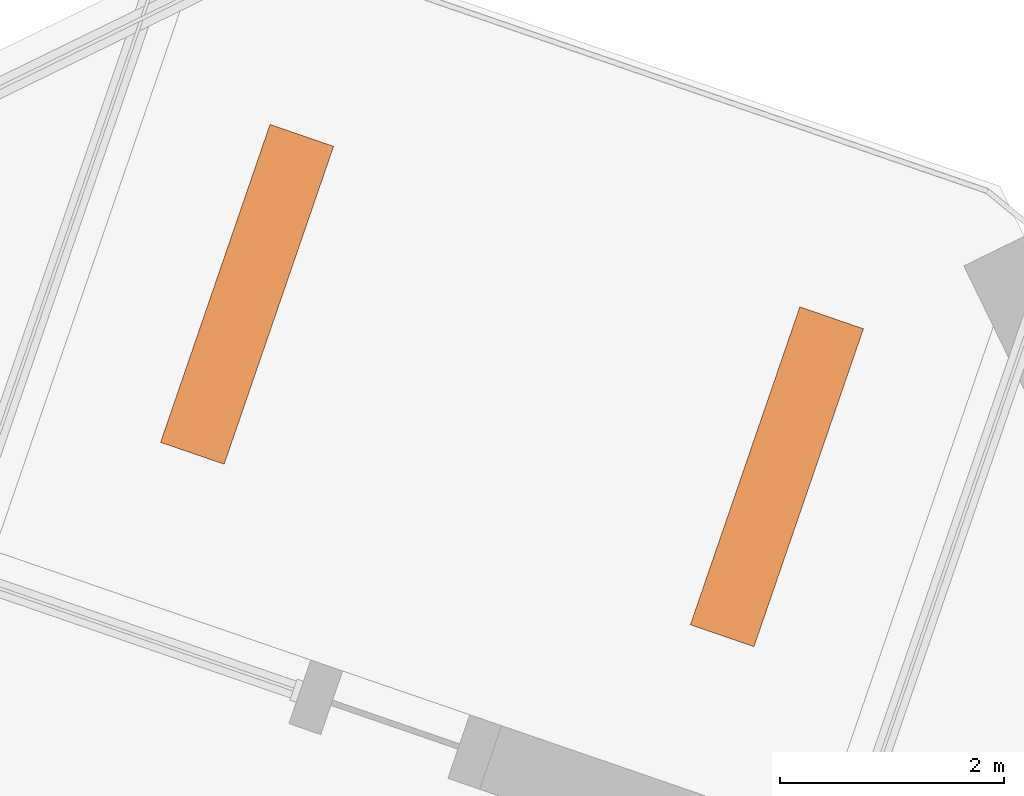
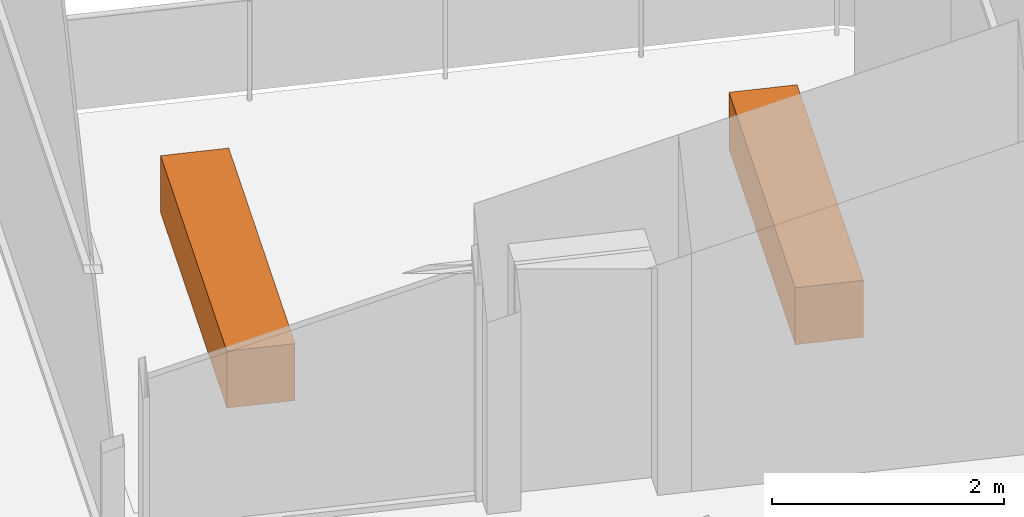
# One storey, part 21 of 21: 2 proxies.
"""IFC4 building model written with IfcOpenShell, lengths in metres."""

from ifc_helpers import new_model, si_unit, direction, frame, origin, origin_2d, place, context, subcontext, project, spatial, rectangle, extrude, element, save


model = new_model("IFC4")

# Units and contexts
model_context = context("Model", 3, precision=1e-05, world=origin(), true_north=direction((0.0, 1.0)))
body_context = subcontext(model_context, "Body", "Model", "MODEL_VIEW")
ifc_project = project(units=[si_unit("LENGTHUNIT", "METRE"), si_unit("AREAUNIT", "SQUARE_METRE"), si_unit("VOLUMEUNIT", "CUBIC_METRE"), si_unit("PLANEANGLEUNIT", "RADIAN"), si_unit("MASSUNIT", "GRAM", prefix="KILO")], contexts=[model_context])

# Site, building, storey
site_placement = place(None, origin())
site = spatial("IfcSite", under=ifc_project, at=site_placement, CompositionType="ELEMENT")
building_placement = place(site_placement, origin())
building = spatial("IfcBuilding", under=site, at=building_placement, Name="Dilmun Exchange Tower", CompositionType="ELEMENT")
storey_placement = place(building_placement, frame((0.0, 0.0, 130.10009765625)))
storey = spatial("IfcBuildingStorey", under=building, at=storey_placement, Name="L30", CompositionType="ELEMENT", Elevation=130.10009765625)

# Proxies
for number, where, z_axis, x_axis, name in (
    (1, (14.892822265625, 31.2294921875, -0.000244140625), (0.0, 0.0, 1.0), (0.325568154457, 0.945518575599, 0.0), "PLANTER Date palm L30.1"),
    (2, (10.165283203125, 32.857421875, -0.000244140625), (0.0, 0.0, 1.0), (0.325568154457, 0.945518575599, 0.0), "PLANTER Date palm L30.2"),
):
    element("IfcBuildingElementProxy", number, at=place(storey_placement, frame(where, z_axis=z_axis, x_axis=x_axis)), inside=storey, Name=name, ObjectType="PLANTER", PredefinedType="USERDEFINED", context=body_context, shape_type="SweptSolid", body=[
        extrude(rectangle(XDim=3.0, YDim=0.60009765625, at=origin_2d()), origin(), (0.0, 0.0, 1.0), 0.60009765625),
    ])

save(model, "model.ifc")
